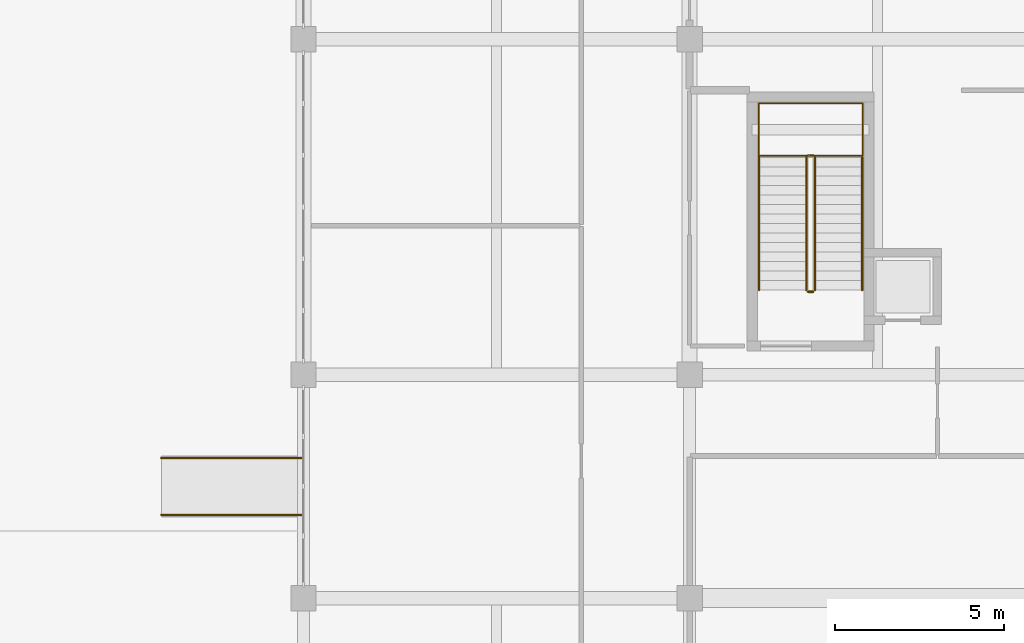
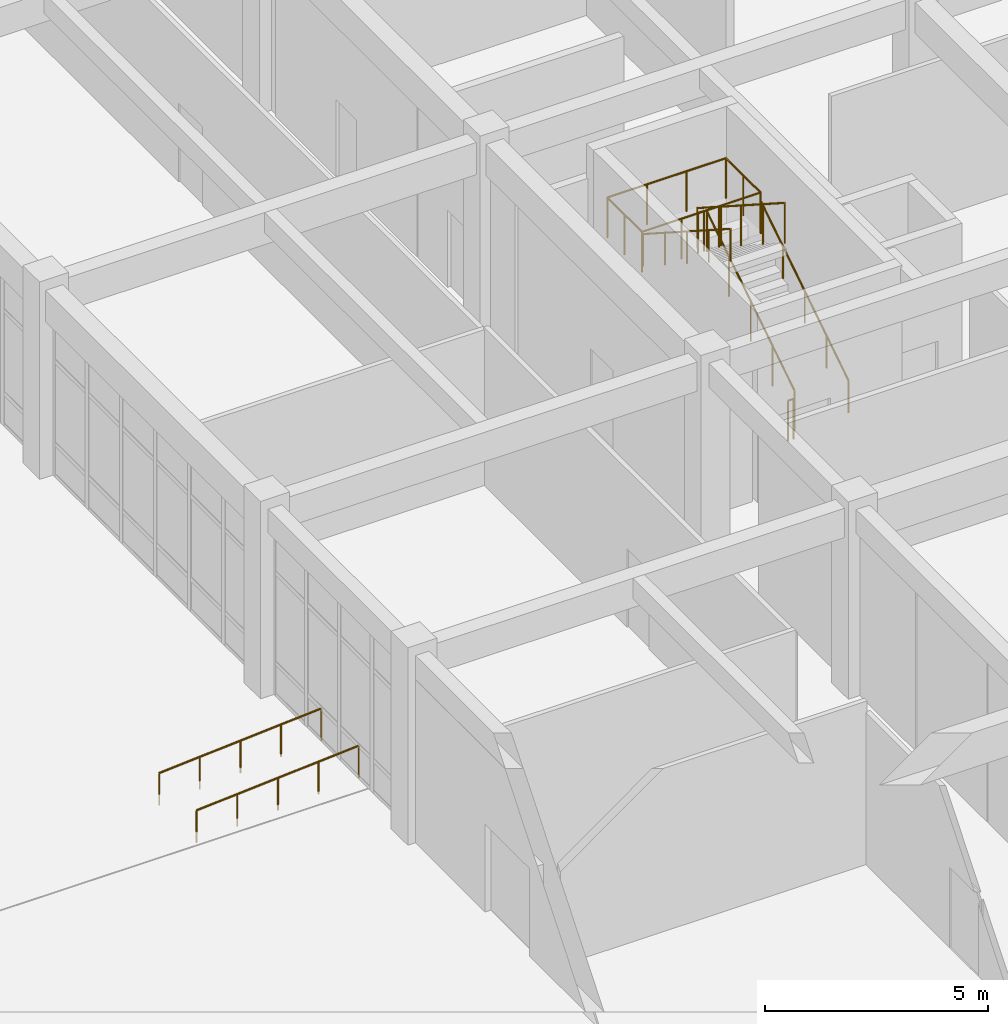
# One storey, part 68 of 70: 10 railings.
"""IFC4 building model written with IfcOpenShell, lengths in metres."""

from ifc_helpers import new_model, si_unit, direction, frame, origin, origin_2d, place, context, subcontext, project, spatial, circle, extrude, material, type_object, element, save


model = new_model("IFC4")

# Units and contexts
model_context = context("Model", 3, precision=1e-05, world=origin(), true_north=direction((0.0, 1.0)))
body_context = subcontext(model_context, "Body", "Model", "MODEL_VIEW")
ifc_project = project(units=[si_unit("LENGTHUNIT", "METRE"), si_unit("AREAUNIT", "SQUARE_METRE"), si_unit("VOLUMEUNIT", "CUBIC_METRE"), si_unit("PLANEANGLEUNIT", "RADIAN"), si_unit("MASSUNIT", "GRAM", prefix="KILO")], contexts=[model_context])

# Site, building, storey
site_placement = place(None, origin())
site = spatial("IfcSite", under=ifc_project, at=site_placement, CompositionType="ELEMENT")
building_placement = place(site_placement, origin())
building = spatial("IfcBuilding", under=site, at=building_placement, Name="Miralva Faculty of Natural Sciences", CompositionType="ELEMENT")
storey_placement = place(building_placement, origin())
storey = spatial("IfcBuildingStorey", under=building, at=storey_placement, Name="L00", CompositionType="ELEMENT", Elevation=0.0)

# Railings
ifc_material = material(Name="Steel S355", Category="steel")
railing_type_1 = type_object("IfcRailingType", Name="RL-GR01", PredefinedType="GUARDRAIL", material=ifc_material)
railing_1_placement = place(storey_placement, frame((148.89990234375, 48.10009765625, 0.179931640625)))
element("IfcRailing", 1, at=railing_1_placement, inside=storey, type_object=railing_type_1, Name="Stair Core C4 safety guard L00-1", PredefinedType="GUARDRAIL", context=body_context, shape_type="SweptSolid", body=[
    extrude(circle(Radius=0.02392578125, at=origin_2d()), frame((0.0, 0.0, 1.09619140625), z_axis=(0.0, 0.841171666519, 0.540768182723), x_axis=(-1.0, 0.0, 0.0)), (0.0, 0.0, 1.0), 4.66015625),
    extrude(circle(Radius=0.02099609375, at=origin_2d()), origin(), (0.0, 0.0, 1.0), 1.072021484375),
    extrude(circle(Radius=0.02099609375, at=origin_2d()), frame((0.0, 0.97998046875, 0.6298828125)), (0.0, 0.0, 1.0), 1.072021484375),
    extrude(circle(Radius=0.02099609375, at=origin_2d()), frame((0.0, 1.9599609375, 1.260009765625)), (0.0, 0.0, 1.0), 1.072021484375),
    extrude(circle(Radius=0.02099609375, at=origin_2d()), frame((0.0, 2.93994140625, 1.89013671875)), (0.0, 0.0, 1.0), 1.072021484375),
    extrude(circle(Radius=0.02099609375, at=origin_2d()), frame((0.0, 3.919921875, 2.52001953125)), (0.0, 0.0, 1.0), 1.072021484375),
])
railing_2_placement = place(storey_placement, frame((148.85009765625, 52.070068359375, 2.699951171875)))
element("IfcRailing", 2, at=railing_2_placement, inside=storey, type_object=railing_type_1, Name="Stair Core C4 safety guard L00-2", PredefinedType="GUARDRAIL", context=body_context, shape_type="SweptSolid", body=[
    extrude(circle(Radius=0.02392578125, at=origin_2d()), frame((0.0, 0.0, 1.09619140625), z_axis=(-1.0, 0.0, 0.0), x_axis=(0.0, -1.0, 0.0)), (0.0, 0.0, 1.0), 0.150146484375),
    extrude(circle(Radius=0.02099609375, at=origin_2d()), origin(), (0.0, 0.0, 1.0), 1.072021484375),
    extrude(circle(Radius=0.02099609375, at=origin_2d()), frame((-0.150146484375, 0.0, 0.0)), (0.0, 0.0, 1.0), 1.072021484375),
])
railing_3_placement = place(storey_placement, frame((148.64990234375, 52.02001953125, 2.8798828125)))
element("IfcRailing", 3, at=railing_3_placement, inside=storey, type_object=railing_type_1, Name="Stair Core C4 safety guard L00-3", PredefinedType="GUARDRAIL", context=body_context, shape_type="SweptSolid", body=[
    extrude(circle(Radius=0.02392578125, at=origin_2d()), frame((0.0, 0.0, 1.09619140625), z_axis=(0.0, -0.841171666519, 0.540768182723), x_axis=(1.0, 0.0, 0.0)), (0.0, 0.0, 1.0), 4.66015625),
    extrude(circle(Radius=0.02099609375, at=origin_2d()), origin(), (0.0, 0.0, 1.0), 1.072021484375),
    extrude(circle(Radius=0.02099609375, at=origin_2d()), frame((0.0, -0.97998046875, 0.6298828125)), (0.0, 0.0, 1.0), 1.072021484375),
    extrude(circle(Radius=0.02099609375, at=origin_2d()), frame((0.0, -1.9599609375, 1.260009765625)), (0.0, 0.0, 1.0), 1.072021484375),
    extrude(circle(Radius=0.02099609375, at=origin_2d()), frame((0.0, -2.93994140625, 1.89013671875)), (0.0, 0.0, 1.0), 1.072021484375),
    extrude(circle(Radius=0.02099609375, at=origin_2d()), frame((0.0, -3.919921875, 2.52001953125)), (0.0, 0.0, 1.0), 1.072021484375),
])
railing_4_placement = place(storey_placement, frame((148.85009765625, 48.050048828125, 0.0)))
element("IfcRailing", 4, at=railing_4_placement, inside=storey, type_object=railing_type_1, Name="Stair Core C4 safety guard L00-4", PredefinedType="GUARDRAIL", context=body_context, shape_type="SweptSolid", body=[
    extrude(circle(Radius=0.02392578125, at=origin_2d()), frame((0.0, 0.0, 1.09619140625), z_axis=(-1.0, 0.0, 0.0), x_axis=(0.0, -1.0, 0.0)), (0.0, 0.0, 1.0), 0.150146484375),
    extrude(circle(Radius=0.02099609375, at=origin_2d()), origin(), (0.0, 0.0, 1.0), 1.072021484375),
    extrude(circle(Radius=0.02099609375, at=origin_2d()), frame((-0.150146484375, 0.0, 0.0)), (0.0, 0.0, 1.0), 1.072021484375),
])
railing_5_placement = place(storey_placement, frame((147.239990234375, 52.06005859375, 2.699951171875)))
element("IfcRailing", 5, at=railing_5_placement, inside=storey, type_object=railing_type_1, Name="Stair Core C4 half-landing guard L00-1A", PredefinedType="GUARDRAIL", context=body_context, shape_type="SweptSolid", body=[
    extrude(circle(Radius=0.02392578125, at=origin_2d()), frame((0.0, 0.0, 1.09619140625), z_axis=(0.0, 1.0, 0.0), x_axis=(-1.0, 0.0, 0.0)), (0.0, 0.0, 1.0), 1.550048828125),
    extrude(circle(Radius=0.02392578125, at=origin_2d()), frame((0.0, 1.550048828125, 1.09619140625), z_axis=(1.0, 0.0, 0.0), x_axis=(0.0, 1.0, 0.0)), (0.0, 0.0, 1.0), 3.070068359375),
    extrude(circle(Radius=0.02099609375, at=origin_2d()), origin(), (0.0, 0.0, 1.0), 1.072021484375),
    extrude(circle(Radius=0.02099609375, at=origin_2d()), frame((0.0, 0.77490234375, 0.0)), (0.0, 0.0, 1.0), 1.072021484375),
    extrude(circle(Radius=0.02099609375, at=origin_2d()), frame((0.0, 1.550048828125, 0.0)), (0.0, 0.0, 1.0), 1.072021484375),
    extrude(circle(Radius=0.02099609375, at=origin_2d()), frame((1.0234375, 1.550048828125, 0.0)), (0.0, 0.0, 1.0), 1.072021484375),
    extrude(circle(Radius=0.02099609375, at=origin_2d()), frame((2.046630859375, 1.550048828125, 0.0)), (0.0, 0.0, 1.0), 1.072021484375),
    extrude(circle(Radius=0.02099609375, at=origin_2d()), frame((3.070068359375, 1.550048828125, 0.0)), (0.0, 0.0, 1.0), 1.072021484375),
])
railing_6_placement = place(storey_placement, frame((150.31005859375, 53.610107421875, 2.699951171875)))
element("IfcRailing", 6, at=railing_6_placement, inside=storey, type_object=railing_type_1, Name="Stair Core C4 half-landing guard L00-1B", PredefinedType="GUARDRAIL", context=body_context, shape_type="SweptSolid", body=[
    extrude(circle(Radius=0.02392578125, at=origin_2d()), frame((0.0, 0.0, 1.09619140625), z_axis=(0.0, -1.0, 0.0), x_axis=(1.0, 0.0, 0.0)), (0.0, 0.0, 1.0), 1.550048828125),
    extrude(circle(Radius=0.02392578125, at=origin_2d()), frame((0.0, -1.550048828125, 1.09619140625), z_axis=(-1.0, 0.0, 0.0), x_axis=(0.0, -1.0, 0.0)), (0.0, 0.0, 1.0), 3.070068359375),
    extrude(circle(Radius=0.02099609375, at=origin_2d()), origin(), (0.0, 0.0, 1.0), 1.072021484375),
    extrude(circle(Radius=0.02099609375, at=origin_2d()), frame((0.0, -0.77490234375, 0.0)), (0.0, 0.0, 1.0), 1.072021484375),
    extrude(circle(Radius=0.02099609375, at=origin_2d()), frame((0.0, -1.550048828125, 0.0)), (0.0, 0.0, 1.0), 1.072021484375),
    extrude(circle(Radius=0.02099609375, at=origin_2d()), frame((-1.0234375, -1.550048828125, 0.0)), (0.0, 0.0, 1.0), 1.072021484375),
    extrude(circle(Radius=0.02099609375, at=origin_2d()), frame((-2.046630859375, -1.550048828125, 0.0)), (0.0, 0.0, 1.0), 1.072021484375),
    extrude(circle(Radius=0.02099609375, at=origin_2d()), frame((-3.070068359375, -1.550048828125, 0.0)), (0.0, 0.0, 1.0), 1.072021484375),
])
railing_type_2 = type_object("IfcRailingType", Name="RL-HR01", PredefinedType="HANDRAIL", material=ifc_material)
railing_7_placement = place(storey_placement, frame((150.300048828125, 48.10009765625, 0.179931640625)))
element("IfcRailing", 7, at=railing_7_placement, inside=storey, type_object=railing_type_2, Name="Stair Core C4 handrail L00-1", PredefinedType="HANDRAIL", context=body_context, shape_type="SweptSolid", body=[
    extrude(circle(Radius=0.02392578125, at=origin_2d()), frame((0.0, 0.0, 0.8759765625), z_axis=(0.0, 0.841171666519, 0.540768182723), x_axis=(-1.0, 0.0, 0.0)), (0.0, 0.0, 1.0), 4.66015625),
    extrude(circle(Radius=0.02099609375, at=origin_2d()), origin(), (0.0, 0.0, 1.0), 0.851806640625),
    extrude(circle(Radius=0.02099609375, at=origin_2d()), frame((0.0, 0.97998046875, 0.6298828125)), (0.0, 0.0, 1.0), 0.851806640625),
    extrude(circle(Radius=0.02099609375, at=origin_2d()), frame((0.0, 1.9599609375, 1.260009765625)), (0.0, 0.0, 1.0), 0.851806640625),
    extrude(circle(Radius=0.02099609375, at=origin_2d()), frame((0.0, 2.93994140625, 1.89013671875)), (0.0, 0.0, 1.0), 0.851806640625),
    extrude(circle(Radius=0.02099609375, at=origin_2d()), frame((0.0, 3.919921875, 2.52001953125)), (0.0, 0.0, 1.0), 0.851806640625),
])
railing_8_placement = place(storey_placement, frame((147.25, 52.02001953125, 2.8798828125)))
element("IfcRailing", 8, at=railing_8_placement, inside=storey, type_object=railing_type_2, Name="Stair Core C4 handrail L00-2", PredefinedType="HANDRAIL", context=body_context, shape_type="SweptSolid", body=[
    extrude(circle(Radius=0.02392578125, at=origin_2d()), frame((0.0, 0.0, 0.8759765625), z_axis=(0.0, -0.841171666519, 0.540768182723), x_axis=(1.0, 0.0, 0.0)), (0.0, 0.0, 1.0), 4.66015625),
    extrude(circle(Radius=0.02099609375, at=origin_2d()), origin(), (0.0, 0.0, 1.0), 0.851806640625),
    extrude(circle(Radius=0.02099609375, at=origin_2d()), frame((0.0, -0.97998046875, 0.6298828125)), (0.0, 0.0, 1.0), 0.851806640625),
    extrude(circle(Radius=0.02099609375, at=origin_2d()), frame((0.0, -1.9599609375, 1.260009765625)), (0.0, 0.0, 1.0), 0.851806640625),
    extrude(circle(Radius=0.02099609375, at=origin_2d()), frame((0.0, -2.93994140625, 1.89013671875)), (0.0, 0.0, 1.0), 0.851806640625),
    extrude(circle(Radius=0.02099609375, at=origin_2d()), frame((0.0, -3.919921875, 2.52001953125)), (0.0, 0.0, 1.0), 0.851806640625),
])
for number, where, name in (
    (9, (129.60009765625, 41.4599609375, -0.300048828125), "Accessible ramp handrail RMP-PED-04-L"),
    (10, (129.60009765625, 43.139892578125, -0.300048828125), "Accessible ramp handrail RMP-PED-04-R"),
):
    element("IfcRailing", number, at=place(storey_placement, frame(where)), inside=storey, type_object=railing_type_2, Name=name, PredefinedType="HANDRAIL", context=body_context, shape_type="SweptSolid", body=[
        extrude(circle(Radius=0.02392578125, at=origin_2d()), frame((0.0, 0.0, 0.8759765625), z_axis=(0.997457816785, 0.0, 0.071259411546), x_axis=(0.0, 1.0, 0.0)), (0.0, 0.0, 1.0), 4.210693359375),
        extrude(circle(Radius=0.02099609375, at=origin_2d()), origin(), (0.0, 0.0, 1.0), 0.851806640625),
        extrude(circle(Radius=0.02099609375, at=origin_2d()), frame((1.050048828125, 0.0, 0.074951171875)), (0.0, 0.0, 1.0), 0.851806640625),
        extrude(circle(Radius=0.02099609375, at=origin_2d()), frame((2.10009765625, 0.0, 0.14990234375)), (0.0, 0.0, 1.0), 0.851806640625),
        extrude(circle(Radius=0.02099609375, at=origin_2d()), frame((3.14990234375, 0.0, 0.22509765625)), (0.0, 0.0, 1.0), 0.851806640625),
        extrude(circle(Radius=0.02099609375, at=origin_2d()), frame((4.199951171875, 0.0, 0.300048828125)), (0.0, 0.0, 1.0), 0.851806640625),
    ])

save(model, "model.ifc")
